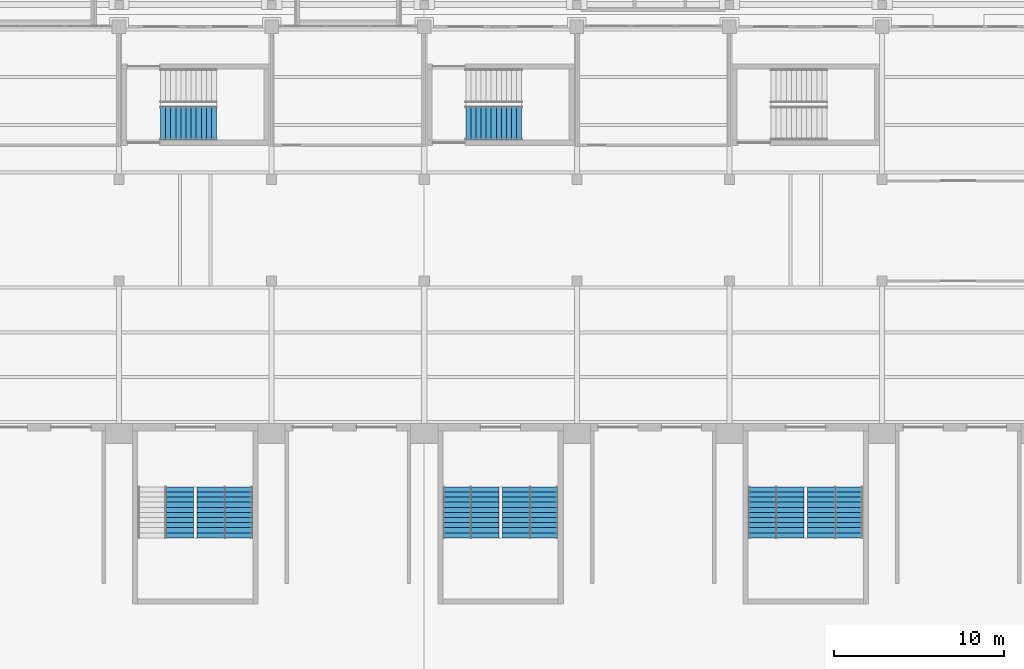
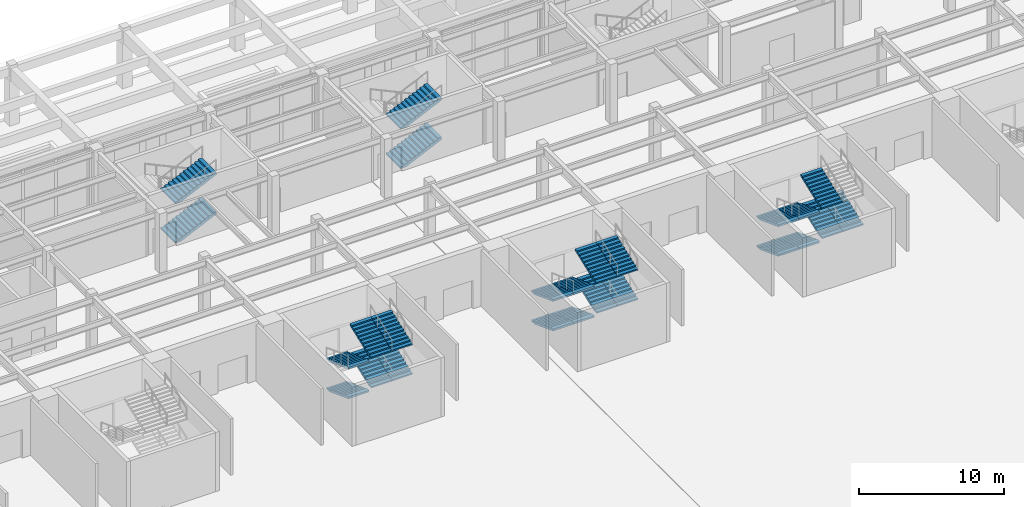
# One storey, part 57 of 77: 25 stair flights, 8 elements without a shape of their own.
"""IFC4 building model written with IfcOpenShell, lengths in metres."""

import ifcopenshell
import ifcopenshell.guid

model = None  # the IFC model being written
_history = None  # IfcOwnerHistory: only IFC2X3 demands one
_inside = {}  # id of a spatial element -> (the spatial element, [elements in it])
_under = {}  # id of a project, library or spatial element -> (it, [spatial elements below it])
_declared = {}  # id of a project -> (the project, [libraries it declares])
_typed = {}  # id of a type object -> (the type object, [elements of that type])
_made_of = {}  # id of a material, layer set ... -> (it, [elements and type objects made of it])


def new_model(schema):
    """Start an empty IFC model of exactly this schema.

    Asked for "IFC4X3", IfcOpenShell would pick the latest addendum, in which some entities
    have other attributes; the version numbers below select the first issue.
    IFC2X3 requires an IfcOwnerHistory on every rooted entity: one is made here for all.
    """
    global model, _history
    if schema == "IFC4X3":
        model = ifcopenshell.file(schema_version=(4, 3, 0, 0))
    else:
        model = ifcopenshell.file(schema=schema)
    _inside.clear()
    _under.clear()
    _declared.clear()
    _typed.clear()
    _made_of.clear()
    _history = None
    if model.schema == "IFC2X3":
        org = make("IfcOrganization", Name="unknown")
        user = make(
            "IfcPersonAndOrganization",
            ThePerson=make("IfcPerson", FamilyName="unknown"),
            TheOrganization=org,
        )
        app = make(
            "IfcApplication",
            ApplicationDeveloper=org,
            Version="unknown",
            ApplicationFullName="unknown",
            ApplicationIdentifier="unknown",
        )
        _history = make(
            "IfcOwnerHistory",
            OwningUser=user,
            OwningApplication=app,
            ChangeAction="ADDED",
            CreationDate=0,
        )
    return model


def make(cls, **values):
    """One entity of the class cls with the attributes given. An attribute that is None is left unset."""
    return model.create_entity(
        cls, **{name: value for name, value in values.items() if value is not None}
    )


def rooted(cls, **values):
    """An entity with a GlobalId (a new one), such as an element, a storey or a relation."""
    return make(cls, GlobalId=ifcopenshell.guid.new(), OwnerHistory=_history, **values)


def si_unit(unit_type, name, prefix=None):
    """IfcSIUnit, for example si_unit("LENGTHUNIT", "METRE", prefix="MILLI")."""
    return make("IfcSIUnit", UnitType=unit_type, Prefix=prefix, Name=name)


def assignment(units):
    """IfcUnitAssignment: the units of a project."""
    return None if units is None else make("IfcUnitAssignment", Units=units)


def point(xyz):
    """IfcCartesianPoint."""
    return None if xyz is None else make("IfcCartesianPoint", Coordinates=xyz)


def direction(xyz):
    """IfcDirection."""
    return None if xyz is None else make("IfcDirection", DirectionRatios=xyz)


def frame(location, z_axis=None, x_axis=None):
    """IfcAxis2Placement3D, a coordinate frame: its origin and axes. An axis left out is left unset."""
    return make(
        "IfcAxis2Placement3D",
        Location=point(location),
        Axis=direction(z_axis),
        RefDirection=direction(x_axis),
    )


def origin():
    """The frame at (0, 0, 0) with its axes left unset."""
    return frame((0.0, 0.0, 0.0))


def place(relative_to, where):
    """IfcLocalPlacement: puts the frame where relative to a parent placement (None: the world)."""
    return make(
        "IfcLocalPlacement", PlacementRelTo=relative_to, RelativePlacement=where
    )


def context(
    kind, dimensions, precision=None, world=None, true_north=None, identifier=None
):
    """IfcGeometricRepresentationContext, for example the 3D "Model" context."""
    return make(
        "IfcGeometricRepresentationContext",
        ContextIdentifier=identifier,
        ContextType=kind,
        CoordinateSpaceDimension=dimensions,
        Precision=precision,
        WorldCoordinateSystem=world,
        TrueNorth=true_north,
    )


def subcontext(parent, identifier, kind, view, scale=None):
    """IfcGeometricRepresentationSubContext, for example "Body" below "Model"."""
    return make(
        "IfcGeometricRepresentationSubContext",
        ContextIdentifier=identifier,
        ContextType=kind,
        ParentContext=parent,
        TargetScale=scale,
        TargetView=view,
    )


def project(units=None, contexts=None):
    """IfcProject with its units and contexts."""
    return rooted(
        "IfcProject",
        Name="project",
        RepresentationContexts=contexts,
        UnitsInContext=assignment(units),
    )


def spatial(cls, under=None, at=None, **own):
    """A site, building, storey or space (cls), placed at a placement, below another one or the project."""
    s = rooted(cls, ObjectPlacement=at, **own)
    if under is not None:
        _under.setdefault(under.id(), (under, []))[1].append(s)
    return s


def polyline(points):
    """IfcPolyline through the points."""
    return make("IfcPolyline", Points=[point(p) for p in points])


def outline(outer, holes=None, kind="AREA"):
    """IfcArbitraryClosedProfileDef: a profile drawn as a closed curve; with holes, ...WithVoids."""
    if holes is None:
        return make("IfcArbitraryClosedProfileDef", ProfileType=kind, OuterCurve=outer)
    return make(
        "IfcArbitraryProfileDefWithVoids",
        ProfileType=kind,
        OuterCurve=outer,
        InnerCurves=holes,
    )


def extrude(swept, where, along, depth):
    """IfcExtrudedAreaSolid: the profile swept, set in the frame where, extruded along a direction by depth."""
    return make(
        "IfcExtrudedAreaSolid",
        SweptArea=swept,
        Position=where,
        ExtrudedDirection=direction(along),
        Depth=depth,
    )


def shape(context_of_items, identifier, shape_type, items):
    """IfcShapeRepresentation: the items that make up one representation, for example the "Body"."""
    return make(
        "IfcShapeRepresentation",
        ContextOfItems=context_of_items,
        RepresentationIdentifier=identifier,
        RepresentationType=shape_type,
        Items=items,
    )


def material(Name=None, Category=None):
    """IfcMaterial."""
    return make("IfcMaterial", Name=Name, Category=Category)


def made_of(thing, what):
    """Note that an element or type object is made of a material, layer set ...; save() writes the relation."""
    if what is not None:
        _made_of.setdefault(what.id(), (what, []))[1].append(thing)
    return thing


def type_object(cls, material=None, **own):
    """A type object (cls), such as IfcWallType, which elements share."""
    return made_of(rooted(cls, **own), material)


def element(
    cls,
    number,
    at=None,
    inside=None,
    cuts=None,
    type_object=None,
    material=None,
    context=None,
    identifier="Body",
    shape_type=None,
    held_by="IfcProductDefinitionShape",
    body=None,
    shapes=None,
    **own,
):
    """One element of the class cls, such as IfcWall. Its Tag is "e" and its number.

    at: its placement. inside: the storey or other place that contains it. cuts: it is an
    opening in that element (IfcRelVoidsElement). A single representation is given by context,
    identifier, shape_type and body (its items); several are given by shapes. held_by: the class
    of the entity that holds the representations. save() writes the other relations.
    """
    e = rooted(cls, Tag="e%d" % number, ObjectPlacement=at, **own)
    if body is not None:
        shapes = [shape(context, identifier, shape_type, body)]
    if shapes is not None:
        e.Representation = make(held_by, Representations=shapes)
    if inside is not None:
        _inside.setdefault(inside.id(), (inside, []))[1].append(e)
    if cuts is not None:
        rooted(
            "IfcRelVoidsElement", RelatingBuildingElement=cuts, RelatedOpeningElement=e
        )
    if type_object is not None:
        _typed.setdefault(type_object.id(), (type_object, []))[1].append(e)
    return made_of(e, material)


def aggregate(whole, parts):
    """IfcRelAggregates: a whole, such as a stair, and the parts it consists of."""
    return rooted("IfcRelAggregates", RelatingObject=whole, RelatedObjects=parts)


def save(model, path):
    """Write the relations noted so far, then the file.

    IfcRelAggregates (storeys below a building ...), IfcRelContainedInSpatialStructure (elements
    in a storey), IfcRelDefinesByType, IfcRelAssociatesMaterial and IfcRelDeclares: one each for
    every whole, place, type object, material and project.
    """
    for whole, parts in _under.values():
        aggregate(whole, parts)
    for where, things in _inside.values():
        rooted(
            "IfcRelContainedInSpatialStructure",
            RelatedElements=things,
            RelatingStructure=where,
        )
    for kind, things in _typed.values():
        rooted("IfcRelDefinesByType", RelatedObjects=things, RelatingType=kind)
    for what, things in _made_of.values():
        rooted("IfcRelAssociatesMaterial", RelatedObjects=things, RelatingMaterial=what)
    for by, libraries in _declared.values():
        rooted("IfcRelDeclares", RelatingContext=by, RelatedDefinitions=libraries)
    model.write(path)


model = new_model("IFC4")

# Units and contexts
model_context = context("Model", 3, precision=1e-05, world=origin(), true_north=direction((0.0, 1.0)))
body_context = subcontext(model_context, "Body", "Model", "MODEL_VIEW")
ifc_project = project(units=[si_unit("LENGTHUNIT", "METRE"), si_unit("AREAUNIT", "SQUARE_METRE"), si_unit("VOLUMEUNIT", "CUBIC_METRE"), si_unit("PLANEANGLEUNIT", "RADIAN"), si_unit("MASSUNIT", "GRAM", prefix="KILO")], contexts=[model_context])

# Site, building, storey
site_placement = place(None, origin())
site = spatial("IfcSite", under=ifc_project, at=site_placement, CompositionType="ELEMENT")
building_placement = place(site_placement, origin())
building = spatial("IfcBuilding", under=site, at=building_placement, Name="Aravalli Gate Trade Fair Centre", CompositionType="ELEMENT")
storey_placement = place(building_placement, origin())
storey = spatial("IfcBuildingStorey", under=building, at=storey_placement, Name="L00", CompositionType="ELEMENT", Elevation=0.0)

# Stair, stair flights
ifc_material_1 = material(Name="Concrete M30", Category="concrete")
stair_type_1 = type_object("IfcStairType", Name="Concourse stair, 2000 wide", PredefinedType="HALF_TURN_STAIR", material=ifc_material_1)
stair_1_placement = place(storey_placement, origin())
stair_1 = element("IfcStair", 1, at=stair_1_placement, inside=storey, type_object=stair_type_1, Name="Stair XA L00", PredefinedType="HALF_TURN_STAIR")
stair_flight_type_1 = type_object("IfcStairFlightType", Name="Concourse stair flight 2000", PredefinedType="STRAIGHT", material=ifc_material_1)
stair_flight_1_placement = place(storey_placement, frame((35.449951171875, 127.300048828125, 0.0), z_axis=(0.0, 0.0, 1.0), x_axis=(1.0, 0.0, 0.0)))
stair_flight_1 = element("IfcStairFlight", 2, at=stair_flight_1_placement, type_object=stair_flight_type_1, Name="STXA-L00 flight 1", NumberOfRisers=12, NumberOfTreads=11, PredefinedType="STRAIGHT", RiserHeight=0.138888889, TreadLength=0.3, context=body_context, shape_type="SweptSolid", body=[
    extrude(outline(polyline([(0.0, 0.0), (0.0, 0.138916015625), (0.300048828125, 0.138916015625), (0.300048828125, 0.27783203125), (0.60009765625, 0.27783203125), (0.60009765625, 0.416748046875), (0.89990234375, 0.416748046875), (0.89990234375, 0.5556640625), (1.199951171875, 0.5556640625), (1.199951171875, 0.6943359375), (1.5, 0.6943359375), (1.5, 0.833251953125), (1.800048828125, 0.833251953125), (1.800048828125, 0.97216796875), (2.10009765625, 0.97216796875), (2.10009765625, 1.111083984375), (2.39990234375, 1.111083984375), (2.39990234375, 1.25), (2.699951171875, 1.25), (2.699951171875, 1.388916015625), (3.0, 1.388916015625), (3.0, 1.52783203125), (3.300048828125, 1.52783203125), (3.300048828125, 1.666748046875), (3.300048828125, 1.307373046875), (0.475830078125, 0.0), (0.0, 0.0)])), frame((0.0, 1.0, 0.0), z_axis=(0.0, -1.0, 0.0), x_axis=(1.0, 0.0, 0.0)), (0.0, 0.0, 1.0), 2.0),
])
stair_flight_2_placement = place(storey_placement, frame((35.449951171875, 127.300048828125, 3.333251953125), z_axis=(0.0, 0.0, 1.0), x_axis=(1.0, 0.0, 0.0)))
stair_flight_2 = element("IfcStairFlight", 3, at=stair_flight_2_placement, type_object=stair_flight_type_1, Name="STXA-L00 flight 3", NumberOfRisers=12, NumberOfTreads=11, PredefinedType="STRAIGHT", RiserHeight=0.138888889, TreadLength=0.3, context=body_context, shape_type="SweptSolid", body=[
    extrude(outline(polyline([(0.0, 0.0), (0.0, 0.138916015625), (0.300048828125, 0.138916015625), (0.300048828125, 0.27783203125), (0.60009765625, 0.27783203125), (0.60009765625, 0.416748046875), (0.89990234375, 0.416748046875), (0.89990234375, 0.5556640625), (1.199951171875, 0.5556640625), (1.199951171875, 0.6943359375), (1.5, 0.6943359375), (1.5, 0.833251953125), (1.800048828125, 0.833251953125), (1.800048828125, 0.97216796875), (2.10009765625, 0.97216796875), (2.10009765625, 1.111083984375), (2.39990234375, 1.111083984375), (2.39990234375, 1.25), (2.699951171875, 1.25), (2.699951171875, 1.388916015625), (3.0, 1.388916015625), (3.0, 1.52783203125), (3.300048828125, 1.52783203125), (3.300048828125, 1.666748046875), (3.300048828125, 1.307373046875), (0.475830078125, 0.0), (0.0, 0.0)])), frame((0.0, 1.0, 0.0), z_axis=(0.0, -1.0, 0.0), x_axis=(1.0, 0.0, 0.0)), (0.0, 0.0, 1.0), 2.0),
])
aggregate(stair_1, [stair_flight_1, stair_flight_2])

stair_2_placement = place(storey_placement, origin())
stair_2 = element("IfcStair", 4, at=stair_2_placement, inside=storey, type_object=stair_type_1, Name="Stair XB L00", PredefinedType="HALF_TURN_STAIR")
stair_flight_3_placement = place(storey_placement, frame((53.449951171875, 127.300048828125, 0.0), z_axis=(0.0, 0.0, 1.0), x_axis=(1.0, 0.0, 0.0)))
stair_flight_3 = element("IfcStairFlight", 5, at=stair_flight_3_placement, type_object=stair_flight_type_1, Name="STXB-L00 flight 1", NumberOfRisers=12, NumberOfTreads=11, PredefinedType="STRAIGHT", RiserHeight=0.138888889, TreadLength=0.3, context=body_context, shape_type="SweptSolid", body=[
    extrude(outline(polyline([(0.0, 0.0), (0.0, 0.138916015625), (0.300048828125, 0.138916015625), (0.300048828125, 0.27783203125), (0.60009765625, 0.27783203125), (0.60009765625, 0.416748046875), (0.89990234375, 0.416748046875), (0.89990234375, 0.5556640625), (1.199951171875, 0.5556640625), (1.199951171875, 0.6943359375), (1.5, 0.6943359375), (1.5, 0.833251953125), (1.800048828125, 0.833251953125), (1.800048828125, 0.97216796875), (2.10009765625, 0.97216796875), (2.10009765625, 1.111083984375), (2.39990234375, 1.111083984375), (2.39990234375, 1.25), (2.699951171875, 1.25), (2.699951171875, 1.388916015625), (3.0, 1.388916015625), (3.0, 1.52783203125), (3.300048828125, 1.52783203125), (3.300048828125, 1.666748046875), (3.300048828125, 1.307373046875), (0.475830078125, 0.0), (0.0, 0.0)])), frame((0.0, 1.0, 0.0), z_axis=(0.0, -1.0, 0.0), x_axis=(1.0, 0.0, 0.0)), (0.0, 0.0, 1.0), 2.0),
])
stair_flight_4_placement = place(storey_placement, frame((53.449951171875, 127.300048828125, 3.333251953125), z_axis=(0.0, 0.0, 1.0), x_axis=(1.0, 0.0, 0.0)))
stair_flight_4 = element("IfcStairFlight", 6, at=stair_flight_4_placement, type_object=stair_flight_type_1, Name="STXB-L00 flight 3", NumberOfRisers=12, NumberOfTreads=11, PredefinedType="STRAIGHT", RiserHeight=0.138888889, TreadLength=0.3, context=body_context, shape_type="SweptSolid", body=[
    extrude(outline(polyline([(0.0, 0.0), (0.0, 0.138916015625), (0.300048828125, 0.138916015625), (0.300048828125, 0.27783203125), (0.60009765625, 0.27783203125), (0.60009765625, 0.416748046875), (0.89990234375, 0.416748046875), (0.89990234375, 0.5556640625), (1.199951171875, 0.5556640625), (1.199951171875, 0.6943359375), (1.5, 0.6943359375), (1.5, 0.833251953125), (1.800048828125, 0.833251953125), (1.800048828125, 0.97216796875), (2.10009765625, 0.97216796875), (2.10009765625, 1.111083984375), (2.39990234375, 1.111083984375), (2.39990234375, 1.25), (2.699951171875, 1.25), (2.699951171875, 1.388916015625), (3.0, 1.388916015625), (3.0, 1.52783203125), (3.300048828125, 1.52783203125), (3.300048828125, 1.666748046875), (3.300048828125, 1.307373046875), (0.475830078125, 0.0), (0.0, 0.0)])), frame((0.0, 1.0, 0.0), z_axis=(0.0, -1.0, 0.0), x_axis=(1.0, 0.0, 0.0)), (0.0, 0.0, 1.0), 2.0),
])
aggregate(stair_2, [stair_flight_3, stair_flight_4])

ifc_material_2 = material(Name="Concrete M40", Category="concrete")
stair_type_2 = type_object("IfcStairType", Name="Hall exit stair, four flights", PredefinedType="HALF_TURN_STAIR", material=ifc_material_2)
stair_3_placement = place(storey_placement, origin())
stair_3 = element("IfcStair", 7, at=stair_3_placement, inside=storey, type_object=stair_type_2, Name="Exit stair ST-N04 lane A L00", PredefinedType="HALF_TURN_STAIR")
stair_flight_type_2 = type_object("IfcStairFlightType", Name="Hall exit stair flight, four flights", PredefinedType="STRAIGHT", material=ifc_material_2)
stair_flight_5_placement = place(storey_placement, frame((38.419921875, 102.85009765625, 1.25), z_axis=(0.0, 0.0, 1.0), x_axis=(0.0, 1.0, 0.0)))
stair_flight_5 = element("IfcStairFlight", 8, at=stair_flight_5_placement, type_object=stair_flight_type_2, Name="ST-N04A flight 2", NumberOfRisers=11, NumberOfTreads=10, PredefinedType="STRAIGHT", RiserHeight=0.113636364, TreadLength=0.3, context=body_context, shape_type="SweptSolid", body=[
    extrude(outline(polyline([(0.0, 0.0), (0.0, 0.113525390625), (0.300048828125, 0.113525390625), (0.300048828125, 0.227294921875), (0.60009765625, 0.227294921875), (0.60009765625, 0.3408203125), (0.89990234375, 0.3408203125), (0.89990234375, 0.45458984375), (1.199951171875, 0.45458984375), (1.199951171875, 0.568115234375), (1.5, 0.568115234375), (1.5, 0.681884765625), (1.800048828125, 0.681884765625), (1.800048828125, 0.79541015625), (2.10009765625, 0.79541015625), (2.10009765625, 0.9091796875), (2.39990234375, 0.9091796875), (2.39990234375, 1.022705078125), (2.699951171875, 1.022705078125), (2.699951171875, 1.136474609375), (3.0, 1.136474609375), (3.0, 1.25), (3.0, 0.97607421875), (0.423095703125, 0.0), (0.0, 0.0)])), frame((0.0, 0.81982421875, 0.0), z_axis=(0.0, -1.0, 0.0), x_axis=(1.0, 0.0, 0.0)), (0.0, 0.0, 1.0), 1.639892578125),
])
stair_flight_6_placement = place(storey_placement, frame((38.419921875, 102.85009765625, 3.75), z_axis=(0.0, 0.0, 1.0), x_axis=(0.0, 1.0, 0.0)))
stair_flight_6 = element("IfcStairFlight", 9, at=stair_flight_6_placement, type_object=stair_flight_type_2, Name="ST-N04A flight 4", NumberOfRisers=11, NumberOfTreads=10, PredefinedType="STRAIGHT", RiserHeight=0.113636364, TreadLength=0.3, context=body_context, shape_type="SweptSolid", body=[
    extrude(outline(polyline([(0.0, 0.0), (0.0, 0.113525390625), (0.300048828125, 0.113525390625), (0.300048828125, 0.227294921875), (0.60009765625, 0.227294921875), (0.60009765625, 0.3408203125), (0.89990234375, 0.3408203125), (0.89990234375, 0.45458984375), (1.199951171875, 0.45458984375), (1.199951171875, 0.568115234375), (1.5, 0.568115234375), (1.5, 0.681884765625), (1.800048828125, 0.681884765625), (1.800048828125, 0.79541015625), (2.10009765625, 0.79541015625), (2.10009765625, 0.9091796875), (2.39990234375, 0.9091796875), (2.39990234375, 1.022705078125), (2.699951171875, 1.022705078125), (2.699951171875, 1.136474609375), (3.0, 1.136474609375), (3.0, 1.25), (3.0, 0.97607421875), (0.423095703125, 0.0), (0.0, 0.0)])), frame((0.0, 0.81982421875, 0.0), z_axis=(0.0, -1.0, 0.0), x_axis=(1.0, 0.0, 0.0)), (0.0, 0.0, 1.0), 1.639892578125),
])
aggregate(stair_3, [stair_flight_5, stair_flight_6])

stair_4_placement = place(storey_placement, origin())
stair_4 = element("IfcStair", 10, at=stair_4_placement, inside=storey, type_object=stair_type_2, Name="Exit stair ST-N04 lane B L00", PredefinedType="HALF_TURN_STAIR")
stair_flight_7_placement = place(storey_placement, frame((36.580078125, 105.85009765625, 0.0), z_axis=(0.0, 0.0, 1.0), x_axis=(0.0, -1.0, 0.0)))
stair_flight_7 = element("IfcStairFlight", 11, at=stair_flight_7_placement, type_object=stair_flight_type_2, Name="ST-N04B flight 1", NumberOfRisers=11, NumberOfTreads=10, PredefinedType="STRAIGHT", RiserHeight=0.113636364, TreadLength=0.3, context=body_context, shape_type="SweptSolid", body=[
    extrude(outline(polyline([(0.0, 0.0), (0.0, 0.113525390625), (0.300048828125, 0.113525390625), (0.300048828125, 0.227294921875), (0.60009765625, 0.227294921875), (0.60009765625, 0.3408203125), (0.89990234375, 0.3408203125), (0.89990234375, 0.45458984375), (1.199951171875, 0.45458984375), (1.199951171875, 0.568115234375), (1.5, 0.568115234375), (1.5, 0.681884765625), (1.800048828125, 0.681884765625), (1.800048828125, 0.79541015625), (2.10009765625, 0.79541015625), (2.10009765625, 0.9091796875), (2.39990234375, 0.9091796875), (2.39990234375, 1.022705078125), (2.699951171875, 1.022705078125), (2.699951171875, 1.136474609375), (3.0, 1.136474609375), (3.0, 1.25), (3.0, 0.97607421875), (0.423095703125, 0.0), (0.0, 0.0)])), frame((0.0, 0.81982421875, 0.0), z_axis=(0.0, -1.0, 0.0), x_axis=(1.0, 0.0, 0.0)), (0.0, 0.0, 1.0), 1.639892578125),
])
stair_flight_8_placement = place(storey_placement, frame((40.080078125, 102.85009765625, 1.25), z_axis=(0.0, 0.0, 1.0), x_axis=(0.0, 1.0, 0.0)))
stair_flight_8 = element("IfcStairFlight", 12, at=stair_flight_8_placement, type_object=stair_flight_type_2, Name="ST-N04B flight 2", NumberOfRisers=11, NumberOfTreads=10, PredefinedType="STRAIGHT", RiserHeight=0.113636364, TreadLength=0.3, context=body_context, shape_type="SweptSolid", body=[
    extrude(outline(polyline([(0.0, 0.0), (0.0, 0.113525390625), (0.300048828125, 0.113525390625), (0.300048828125, 0.227294921875), (0.60009765625, 0.227294921875), (0.60009765625, 0.3408203125), (0.89990234375, 0.3408203125), (0.89990234375, 0.45458984375), (1.199951171875, 0.45458984375), (1.199951171875, 0.568115234375), (1.5, 0.568115234375), (1.5, 0.681884765625), (1.800048828125, 0.681884765625), (1.800048828125, 0.79541015625), (2.10009765625, 0.79541015625), (2.10009765625, 0.9091796875), (2.39990234375, 0.9091796875), (2.39990234375, 1.022705078125), (2.699951171875, 1.022705078125), (2.699951171875, 1.136474609375), (3.0, 1.136474609375), (3.0, 1.25), (3.0, 0.97607421875), (0.423095703125, 0.0), (0.0, 0.0)])), frame((0.0, 0.81982421875, 0.0), z_axis=(0.0, -1.0, 0.0), x_axis=(1.0, 0.0, 0.0)), (0.0, 0.0, 1.0), 1.639892578125),
])
stair_flight_9_placement = place(storey_placement, frame((36.580078125, 105.85009765625, 2.5), z_axis=(0.0, 0.0, 1.0), x_axis=(0.0, -1.0, 0.0)))
stair_flight_9 = element("IfcStairFlight", 13, at=stair_flight_9_placement, type_object=stair_flight_type_2, Name="ST-N04B flight 3", NumberOfRisers=11, NumberOfTreads=10, PredefinedType="STRAIGHT", RiserHeight=0.113636364, TreadLength=0.3, context=body_context, shape_type="SweptSolid", body=[
    extrude(outline(polyline([(0.0, 0.0), (0.0, 0.113525390625), (0.300048828125, 0.113525390625), (0.300048828125, 0.227294921875), (0.60009765625, 0.227294921875), (0.60009765625, 0.3408203125), (0.89990234375, 0.3408203125), (0.89990234375, 0.45458984375), (1.199951171875, 0.45458984375), (1.199951171875, 0.568115234375), (1.5, 0.568115234375), (1.5, 0.681884765625), (1.800048828125, 0.681884765625), (1.800048828125, 0.79541015625), (2.10009765625, 0.79541015625), (2.10009765625, 0.9091796875), (2.39990234375, 0.9091796875), (2.39990234375, 1.022705078125), (2.699951171875, 1.022705078125), (2.699951171875, 1.136474609375), (3.0, 1.136474609375), (3.0, 1.25), (3.0, 0.97607421875), (0.423095703125, 0.0), (0.0, 0.0)])), frame((0.0, 0.81982421875, 0.0), z_axis=(0.0, -1.0, 0.0), x_axis=(1.0, 0.0, 0.0)), (0.0, 0.0, 1.0), 1.639892578125),
])
stair_flight_10_placement = place(storey_placement, frame((40.080078125, 102.85009765625, 3.75), z_axis=(0.0, 0.0, 1.0), x_axis=(0.0, 1.0, 0.0)))
stair_flight_10 = element("IfcStairFlight", 14, at=stair_flight_10_placement, type_object=stair_flight_type_2, Name="ST-N04B flight 4", NumberOfRisers=11, NumberOfTreads=10, PredefinedType="STRAIGHT", RiserHeight=0.113636364, TreadLength=0.3, context=body_context, shape_type="SweptSolid", body=[
    extrude(outline(polyline([(0.0, 0.0), (0.0, 0.113525390625), (0.300048828125, 0.113525390625), (0.300048828125, 0.227294921875), (0.60009765625, 0.227294921875), (0.60009765625, 0.3408203125), (0.89990234375, 0.3408203125), (0.89990234375, 0.45458984375), (1.199951171875, 0.45458984375), (1.199951171875, 0.568115234375), (1.5, 0.568115234375), (1.5, 0.681884765625), (1.800048828125, 0.681884765625), (1.800048828125, 0.79541015625), (2.10009765625, 0.79541015625), (2.10009765625, 0.9091796875), (2.39990234375, 0.9091796875), (2.39990234375, 1.022705078125), (2.699951171875, 1.022705078125), (2.699951171875, 1.136474609375), (3.0, 1.136474609375), (3.0, 1.25), (3.0, 0.97607421875), (0.423095703125, 0.0), (0.0, 0.0)])), frame((0.0, 0.81982421875, 0.0), z_axis=(0.0, -1.0, 0.0), x_axis=(1.0, 0.0, 0.0)), (0.0, 0.0, 1.0), 1.639892578125),
])
aggregate(stair_4, [stair_flight_7, stair_flight_8, stair_flight_9, stair_flight_10])

stair_5_placement = place(storey_placement, origin())
stair_5 = element("IfcStair", 15, at=stair_5_placement, inside=storey, type_object=stair_type_2, Name="Exit stair ST-N06 lane A L00", PredefinedType="HALF_TURN_STAIR")
stair_flight_11_placement = place(storey_placement, frame((52.919921875, 105.85009765625, 0.0), z_axis=(0.0, 0.0, 1.0), x_axis=(0.0, -1.0, 0.0)))
stair_flight_11 = element("IfcStairFlight", 16, at=stair_flight_11_placement, type_object=stair_flight_type_2, Name="ST-N06A flight 1", NumberOfRisers=11, NumberOfTreads=10, PredefinedType="STRAIGHT", RiserHeight=0.113636364, TreadLength=0.3, context=body_context, shape_type="SweptSolid", body=[
    extrude(outline(polyline([(0.0, 0.0), (0.0, 0.113525390625), (0.300048828125, 0.113525390625), (0.300048828125, 0.227294921875), (0.60009765625, 0.227294921875), (0.60009765625, 0.3408203125), (0.89990234375, 0.3408203125), (0.89990234375, 0.45458984375), (1.199951171875, 0.45458984375), (1.199951171875, 0.568115234375), (1.5, 0.568115234375), (1.5, 0.681884765625), (1.800048828125, 0.681884765625), (1.800048828125, 0.79541015625), (2.10009765625, 0.79541015625), (2.10009765625, 0.9091796875), (2.39990234375, 0.9091796875), (2.39990234375, 1.022705078125), (2.699951171875, 1.022705078125), (2.699951171875, 1.136474609375), (3.0, 1.136474609375), (3.0, 1.25), (3.0, 0.97607421875), (0.423095703125, 0.0), (0.0, 0.0)])), frame((0.0, 0.81982421875, 0.0), z_axis=(0.0, -1.0, 0.0), x_axis=(1.0, 0.0, 0.0)), (0.0, 0.0, 1.0), 1.639892578125),
])
stair_flight_12_placement = place(storey_placement, frame((56.419921875, 102.85009765625, 1.25), z_axis=(0.0, 0.0, 1.0), x_axis=(0.0, 1.0, 0.0)))
stair_flight_12 = element("IfcStairFlight", 17, at=stair_flight_12_placement, type_object=stair_flight_type_2, Name="ST-N06A flight 2", NumberOfRisers=11, NumberOfTreads=10, PredefinedType="STRAIGHT", RiserHeight=0.113636364, TreadLength=0.3, context=body_context, shape_type="SweptSolid", body=[
    extrude(outline(polyline([(0.0, 0.0), (0.0, 0.113525390625), (0.300048828125, 0.113525390625), (0.300048828125, 0.227294921875), (0.60009765625, 0.227294921875), (0.60009765625, 0.3408203125), (0.89990234375, 0.3408203125), (0.89990234375, 0.45458984375), (1.199951171875, 0.45458984375), (1.199951171875, 0.568115234375), (1.5, 0.568115234375), (1.5, 0.681884765625), (1.800048828125, 0.681884765625), (1.800048828125, 0.79541015625), (2.10009765625, 0.79541015625), (2.10009765625, 0.9091796875), (2.39990234375, 0.9091796875), (2.39990234375, 1.022705078125), (2.699951171875, 1.022705078125), (2.699951171875, 1.136474609375), (3.0, 1.136474609375), (3.0, 1.25), (3.0, 0.97607421875), (0.423095703125, 0.0), (0.0, 0.0)])), frame((0.0, 0.81982421875, 0.0), z_axis=(0.0, -1.0, 0.0), x_axis=(1.0, 0.0, 0.0)), (0.0, 0.0, 1.0), 1.639892578125),
])
stair_flight_13_placement = place(storey_placement, frame((52.919921875, 105.85009765625, 2.5), z_axis=(0.0, 0.0, 1.0), x_axis=(0.0, -1.0, 0.0)))
stair_flight_13 = element("IfcStairFlight", 18, at=stair_flight_13_placement, type_object=stair_flight_type_2, Name="ST-N06A flight 3", NumberOfRisers=11, NumberOfTreads=10, PredefinedType="STRAIGHT", RiserHeight=0.113636364, TreadLength=0.3, context=body_context, shape_type="SweptSolid", body=[
    extrude(outline(polyline([(0.0, 0.0), (0.0, 0.113525390625), (0.300048828125, 0.113525390625), (0.300048828125, 0.227294921875), (0.60009765625, 0.227294921875), (0.60009765625, 0.3408203125), (0.89990234375, 0.3408203125), (0.89990234375, 0.45458984375), (1.199951171875, 0.45458984375), (1.199951171875, 0.568115234375), (1.5, 0.568115234375), (1.5, 0.681884765625), (1.800048828125, 0.681884765625), (1.800048828125, 0.79541015625), (2.10009765625, 0.79541015625), (2.10009765625, 0.9091796875), (2.39990234375, 0.9091796875), (2.39990234375, 1.022705078125), (2.699951171875, 1.022705078125), (2.699951171875, 1.136474609375), (3.0, 1.136474609375), (3.0, 1.25), (3.0, 0.97607421875), (0.423095703125, 0.0), (0.0, 0.0)])), frame((0.0, 0.81982421875, 0.0), z_axis=(0.0, -1.0, 0.0), x_axis=(1.0, 0.0, 0.0)), (0.0, 0.0, 1.0), 1.639892578125),
])
stair_flight_14_placement = place(storey_placement, frame((56.419921875, 102.85009765625, 3.75), z_axis=(0.0, 0.0, 1.0), x_axis=(0.0, 1.0, 0.0)))
stair_flight_14 = element("IfcStairFlight", 19, at=stair_flight_14_placement, type_object=stair_flight_type_2, Name="ST-N06A flight 4", NumberOfRisers=11, NumberOfTreads=10, PredefinedType="STRAIGHT", RiserHeight=0.113636364, TreadLength=0.3, context=body_context, shape_type="SweptSolid", body=[
    extrude(outline(polyline([(0.0, 0.0), (0.0, 0.113525390625), (0.300048828125, 0.113525390625), (0.300048828125, 0.227294921875), (0.60009765625, 0.227294921875), (0.60009765625, 0.3408203125), (0.89990234375, 0.3408203125), (0.89990234375, 0.45458984375), (1.199951171875, 0.45458984375), (1.199951171875, 0.568115234375), (1.5, 0.568115234375), (1.5, 0.681884765625), (1.800048828125, 0.681884765625), (1.800048828125, 0.79541015625), (2.10009765625, 0.79541015625), (2.10009765625, 0.9091796875), (2.39990234375, 0.9091796875), (2.39990234375, 1.022705078125), (2.699951171875, 1.022705078125), (2.699951171875, 1.136474609375), (3.0, 1.136474609375), (3.0, 1.25), (3.0, 0.97607421875), (0.423095703125, 0.0), (0.0, 0.0)])), frame((0.0, 0.81982421875, 0.0), z_axis=(0.0, -1.0, 0.0), x_axis=(1.0, 0.0, 0.0)), (0.0, 0.0, 1.0), 1.639892578125),
])
aggregate(stair_5, [stair_flight_11, stair_flight_12, stair_flight_13, stair_flight_14])

stair_6_placement = place(storey_placement, origin())
stair_6 = element("IfcStair", 20, at=stair_6_placement, inside=storey, type_object=stair_type_2, Name="Exit stair ST-N06 lane B L00", PredefinedType="HALF_TURN_STAIR")
stair_flight_15_placement = place(storey_placement, frame((54.580078125, 105.85009765625, 0.0), z_axis=(0.0, 0.0, 1.0), x_axis=(0.0, -1.0, 0.0)))
stair_flight_15 = element("IfcStairFlight", 21, at=stair_flight_15_placement, type_object=stair_flight_type_2, Name="ST-N06B flight 1", NumberOfRisers=11, NumberOfTreads=10, PredefinedType="STRAIGHT", RiserHeight=0.113636364, TreadLength=0.3, context=body_context, shape_type="SweptSolid", body=[
    extrude(outline(polyline([(0.0, 0.0), (0.0, 0.113525390625), (0.300048828125, 0.113525390625), (0.300048828125, 0.227294921875), (0.60009765625, 0.227294921875), (0.60009765625, 0.3408203125), (0.89990234375, 0.3408203125), (0.89990234375, 0.45458984375), (1.199951171875, 0.45458984375), (1.199951171875, 0.568115234375), (1.5, 0.568115234375), (1.5, 0.681884765625), (1.800048828125, 0.681884765625), (1.800048828125, 0.79541015625), (2.10009765625, 0.79541015625), (2.10009765625, 0.9091796875), (2.39990234375, 0.9091796875), (2.39990234375, 1.022705078125), (2.699951171875, 1.022705078125), (2.699951171875, 1.136474609375), (3.0, 1.136474609375), (3.0, 1.25), (3.0, 0.97607421875), (0.423095703125, 0.0), (0.0, 0.0)])), frame((0.0, 0.81982421875, 0.0), z_axis=(0.0, -1.0, 0.0), x_axis=(1.0, 0.0, 0.0)), (0.0, 0.0, 1.0), 1.639892578125),
])
stair_flight_16_placement = place(storey_placement, frame((58.080078125, 102.85009765625, 1.25), z_axis=(0.0, 0.0, 1.0), x_axis=(0.0, 1.0, 0.0)))
stair_flight_16 = element("IfcStairFlight", 22, at=stair_flight_16_placement, type_object=stair_flight_type_2, Name="ST-N06B flight 2", NumberOfRisers=11, NumberOfTreads=10, PredefinedType="STRAIGHT", RiserHeight=0.113636364, TreadLength=0.3, context=body_context, shape_type="SweptSolid", body=[
    extrude(outline(polyline([(0.0, 0.0), (0.0, 0.113525390625), (0.300048828125, 0.113525390625), (0.300048828125, 0.227294921875), (0.60009765625, 0.227294921875), (0.60009765625, 0.3408203125), (0.89990234375, 0.3408203125), (0.89990234375, 0.45458984375), (1.199951171875, 0.45458984375), (1.199951171875, 0.568115234375), (1.5, 0.568115234375), (1.5, 0.681884765625), (1.800048828125, 0.681884765625), (1.800048828125, 0.79541015625), (2.10009765625, 0.79541015625), (2.10009765625, 0.9091796875), (2.39990234375, 0.9091796875), (2.39990234375, 1.022705078125), (2.699951171875, 1.022705078125), (2.699951171875, 1.136474609375), (3.0, 1.136474609375), (3.0, 1.25), (3.0, 0.97607421875), (0.423095703125, 0.0), (0.0, 0.0)])), frame((0.0, 0.81982421875, 0.0), z_axis=(0.0, -1.0, 0.0), x_axis=(1.0, 0.0, 0.0)), (0.0, 0.0, 1.0), 1.639892578125),
])
stair_flight_17_placement = place(storey_placement, frame((54.580078125, 105.85009765625, 2.5), z_axis=(0.0, 0.0, 1.0), x_axis=(0.0, -1.0, 0.0)))
stair_flight_17 = element("IfcStairFlight", 23, at=stair_flight_17_placement, type_object=stair_flight_type_2, Name="ST-N06B flight 3", NumberOfRisers=11, NumberOfTreads=10, PredefinedType="STRAIGHT", RiserHeight=0.113636364, TreadLength=0.3, context=body_context, shape_type="SweptSolid", body=[
    extrude(outline(polyline([(0.0, 0.0), (0.0, 0.113525390625), (0.300048828125, 0.113525390625), (0.300048828125, 0.227294921875), (0.60009765625, 0.227294921875), (0.60009765625, 0.3408203125), (0.89990234375, 0.3408203125), (0.89990234375, 0.45458984375), (1.199951171875, 0.45458984375), (1.199951171875, 0.568115234375), (1.5, 0.568115234375), (1.5, 0.681884765625), (1.800048828125, 0.681884765625), (1.800048828125, 0.79541015625), (2.10009765625, 0.79541015625), (2.10009765625, 0.9091796875), (2.39990234375, 0.9091796875), (2.39990234375, 1.022705078125), (2.699951171875, 1.022705078125), (2.699951171875, 1.136474609375), (3.0, 1.136474609375), (3.0, 1.25), (3.0, 0.97607421875), (0.423095703125, 0.0), (0.0, 0.0)])), frame((0.0, 0.81982421875, 0.0), z_axis=(0.0, -1.0, 0.0), x_axis=(1.0, 0.0, 0.0)), (0.0, 0.0, 1.0), 1.639892578125),
])
stair_flight_18_placement = place(storey_placement, frame((58.080078125, 102.85009765625, 3.75), z_axis=(0.0, 0.0, 1.0), x_axis=(0.0, 1.0, 0.0)))
stair_flight_18 = element("IfcStairFlight", 24, at=stair_flight_18_placement, type_object=stair_flight_type_2, Name="ST-N06B flight 4", NumberOfRisers=11, NumberOfTreads=10, PredefinedType="STRAIGHT", RiserHeight=0.113636364, TreadLength=0.3, context=body_context, shape_type="SweptSolid", body=[
    extrude(outline(polyline([(0.0, 0.0), (0.0, 0.113525390625), (0.300048828125, 0.113525390625), (0.300048828125, 0.227294921875), (0.60009765625, 0.227294921875), (0.60009765625, 0.3408203125), (0.89990234375, 0.3408203125), (0.89990234375, 0.45458984375), (1.199951171875, 0.45458984375), (1.199951171875, 0.568115234375), (1.5, 0.568115234375), (1.5, 0.681884765625), (1.800048828125, 0.681884765625), (1.800048828125, 0.79541015625), (2.10009765625, 0.79541015625), (2.10009765625, 0.9091796875), (2.39990234375, 0.9091796875), (2.39990234375, 1.022705078125), (2.699951171875, 1.022705078125), (2.699951171875, 1.136474609375), (3.0, 1.136474609375), (3.0, 1.25), (3.0, 0.97607421875), (0.423095703125, 0.0), (0.0, 0.0)])), frame((0.0, 0.81982421875, 0.0), z_axis=(0.0, -1.0, 0.0), x_axis=(1.0, 0.0, 0.0)), (0.0, 0.0, 1.0), 1.639892578125),
])
aggregate(stair_6, [stair_flight_15, stair_flight_16, stair_flight_17, stair_flight_18])

stair_7_placement = place(storey_placement, origin())
stair_7 = element("IfcStair", 25, at=stair_7_placement, inside=storey, type_object=stair_type_2, Name="Exit stair ST-N08 lane A L00", PredefinedType="HALF_TURN_STAIR")
stair_flight_19_placement = place(storey_placement, frame((70.919921875, 105.85009765625, 0.0), z_axis=(0.0, 0.0, 1.0), x_axis=(0.0, -1.0, 0.0)))
stair_flight_19 = element("IfcStairFlight", 26, at=stair_flight_19_placement, type_object=stair_flight_type_2, Name="ST-N08A flight 1", NumberOfRisers=11, NumberOfTreads=10, PredefinedType="STRAIGHT", RiserHeight=0.113636364, TreadLength=0.3, context=body_context, shape_type="SweptSolid", body=[
    extrude(outline(polyline([(0.0, 0.0), (0.0, 0.113525390625), (0.300048828125, 0.113525390625), (0.300048828125, 0.227294921875), (0.60009765625, 0.227294921875), (0.60009765625, 0.3408203125), (0.89990234375, 0.3408203125), (0.89990234375, 0.45458984375), (1.199951171875, 0.45458984375), (1.199951171875, 0.568115234375), (1.5, 0.568115234375), (1.5, 0.681884765625), (1.800048828125, 0.681884765625), (1.800048828125, 0.79541015625), (2.10009765625, 0.79541015625), (2.10009765625, 0.9091796875), (2.39990234375, 0.9091796875), (2.39990234375, 1.022705078125), (2.699951171875, 1.022705078125), (2.699951171875, 1.136474609375), (3.0, 1.136474609375), (3.0, 1.25), (3.0, 0.97607421875), (0.423095703125, 0.0), (0.0, 0.0)])), frame((0.0, 0.81982421875, 0.0), z_axis=(0.0, -1.0, 0.0), x_axis=(1.0, 0.0, 0.0)), (0.0, 0.0, 1.0), 1.639892578125),
])
stair_flight_20_placement = place(storey_placement, frame((74.419921875, 102.85009765625, 1.25), z_axis=(0.0, 0.0, 1.0), x_axis=(0.0, 1.0, 0.0)))
stair_flight_20 = element("IfcStairFlight", 27, at=stair_flight_20_placement, type_object=stair_flight_type_2, Name="ST-N08A flight 2", NumberOfRisers=11, NumberOfTreads=10, PredefinedType="STRAIGHT", RiserHeight=0.113636364, TreadLength=0.3, context=body_context, shape_type="SweptSolid", body=[
    extrude(outline(polyline([(0.0, 0.0), (0.0, 0.113525390625), (0.300048828125, 0.113525390625), (0.300048828125, 0.227294921875), (0.60009765625, 0.227294921875), (0.60009765625, 0.3408203125), (0.89990234375, 0.3408203125), (0.89990234375, 0.45458984375), (1.199951171875, 0.45458984375), (1.199951171875, 0.568115234375), (1.5, 0.568115234375), (1.5, 0.681884765625), (1.800048828125, 0.681884765625), (1.800048828125, 0.79541015625), (2.10009765625, 0.79541015625), (2.10009765625, 0.9091796875), (2.39990234375, 0.9091796875), (2.39990234375, 1.022705078125), (2.699951171875, 1.022705078125), (2.699951171875, 1.136474609375), (3.0, 1.136474609375), (3.0, 1.25), (3.0, 0.97607421875), (0.423095703125, 0.0), (0.0, 0.0)])), frame((0.0, 0.81982421875, 0.0), z_axis=(0.0, -1.0, 0.0), x_axis=(1.0, 0.0, 0.0)), (0.0, 0.0, 1.0), 1.639892578125),
])
stair_flight_21_placement = place(storey_placement, frame((70.919921875, 105.85009765625, 2.5), z_axis=(0.0, 0.0, 1.0), x_axis=(0.0, -1.0, 0.0)))
stair_flight_21 = element("IfcStairFlight", 28, at=stair_flight_21_placement, type_object=stair_flight_type_2, Name="ST-N08A flight 3", NumberOfRisers=11, NumberOfTreads=10, PredefinedType="STRAIGHT", RiserHeight=0.113636364, TreadLength=0.3, context=body_context, shape_type="SweptSolid", body=[
    extrude(outline(polyline([(0.0, 0.0), (0.0, 0.113525390625), (0.300048828125, 0.113525390625), (0.300048828125, 0.227294921875), (0.60009765625, 0.227294921875), (0.60009765625, 0.3408203125), (0.89990234375, 0.3408203125), (0.89990234375, 0.45458984375), (1.199951171875, 0.45458984375), (1.199951171875, 0.568115234375), (1.5, 0.568115234375), (1.5, 0.681884765625), (1.800048828125, 0.681884765625), (1.800048828125, 0.79541015625), (2.10009765625, 0.79541015625), (2.10009765625, 0.9091796875), (2.39990234375, 0.9091796875), (2.39990234375, 1.022705078125), (2.699951171875, 1.022705078125), (2.699951171875, 1.136474609375), (3.0, 1.136474609375), (3.0, 1.25), (3.0, 0.97607421875), (0.423095703125, 0.0), (0.0, 0.0)])), frame((0.0, 0.81982421875, 0.0), z_axis=(0.0, -1.0, 0.0), x_axis=(1.0, 0.0, 0.0)), (0.0, 0.0, 1.0), 1.639892578125),
])
stair_flight_22_placement = place(storey_placement, frame((74.419921875, 102.85009765625, 3.75), z_axis=(0.0, 0.0, 1.0), x_axis=(0.0, 1.0, 0.0)))
stair_flight_22 = element("IfcStairFlight", 29, at=stair_flight_22_placement, type_object=stair_flight_type_2, Name="ST-N08A flight 4", NumberOfRisers=11, NumberOfTreads=10, PredefinedType="STRAIGHT", RiserHeight=0.113636364, TreadLength=0.3, context=body_context, shape_type="SweptSolid", body=[
    extrude(outline(polyline([(0.0, 0.0), (0.0, 0.113525390625), (0.300048828125, 0.113525390625), (0.300048828125, 0.227294921875), (0.60009765625, 0.227294921875), (0.60009765625, 0.3408203125), (0.89990234375, 0.3408203125), (0.89990234375, 0.45458984375), (1.199951171875, 0.45458984375), (1.199951171875, 0.568115234375), (1.5, 0.568115234375), (1.5, 0.681884765625), (1.800048828125, 0.681884765625), (1.800048828125, 0.79541015625), (2.10009765625, 0.79541015625), (2.10009765625, 0.9091796875), (2.39990234375, 0.9091796875), (2.39990234375, 1.022705078125), (2.699951171875, 1.022705078125), (2.699951171875, 1.136474609375), (3.0, 1.136474609375), (3.0, 1.25), (3.0, 0.97607421875), (0.423095703125, 0.0), (0.0, 0.0)])), frame((0.0, 0.81982421875, 0.0), z_axis=(0.0, -1.0, 0.0), x_axis=(1.0, 0.0, 0.0)), (0.0, 0.0, 1.0), 1.639892578125),
])
aggregate(stair_7, [stair_flight_19, stair_flight_20, stair_flight_21, stair_flight_22])

stair_8_placement = place(storey_placement, origin())
stair_8 = element("IfcStair", 30, at=stair_8_placement, inside=storey, type_object=stair_type_2, Name="Exit stair ST-N08 lane B L00", PredefinedType="HALF_TURN_STAIR")
stair_flight_23_placement = place(storey_placement, frame((72.580078125, 105.85009765625, 0.0), z_axis=(0.0, 0.0, 1.0), x_axis=(0.0, -1.0, 0.0)))
stair_flight_23 = element("IfcStairFlight", 31, at=stair_flight_23_placement, type_object=stair_flight_type_2, Name="ST-N08B flight 1", NumberOfRisers=11, NumberOfTreads=10, PredefinedType="STRAIGHT", RiserHeight=0.113636364, TreadLength=0.3, context=body_context, shape_type="SweptSolid", body=[
    extrude(outline(polyline([(0.0, 0.0), (0.0, 0.113525390625), (0.300048828125, 0.113525390625), (0.300048828125, 0.227294921875), (0.60009765625, 0.227294921875), (0.60009765625, 0.3408203125), (0.89990234375, 0.3408203125), (0.89990234375, 0.45458984375), (1.199951171875, 0.45458984375), (1.199951171875, 0.568115234375), (1.5, 0.568115234375), (1.5, 0.681884765625), (1.800048828125, 0.681884765625), (1.800048828125, 0.79541015625), (2.10009765625, 0.79541015625), (2.10009765625, 0.9091796875), (2.39990234375, 0.9091796875), (2.39990234375, 1.022705078125), (2.699951171875, 1.022705078125), (2.699951171875, 1.136474609375), (3.0, 1.136474609375), (3.0, 1.25), (3.0, 0.97607421875), (0.423095703125, 0.0), (0.0, 0.0)])), frame((0.0, 0.81982421875, 0.0), z_axis=(0.0, -1.0, 0.0), x_axis=(1.0, 0.0, 0.0)), (0.0, 0.0, 1.0), 1.639892578125),
])
stair_flight_24_placement = place(storey_placement, frame((76.080078125, 102.85009765625, 1.25), z_axis=(0.0, 0.0, 1.0), x_axis=(0.0, 1.0, 0.0)))
stair_flight_24 = element("IfcStairFlight", 32, at=stair_flight_24_placement, type_object=stair_flight_type_2, Name="ST-N08B flight 2", NumberOfRisers=11, NumberOfTreads=10, PredefinedType="STRAIGHT", RiserHeight=0.113636364, TreadLength=0.3, context=body_context, shape_type="SweptSolid", body=[
    extrude(outline(polyline([(0.0, 0.0), (0.0, 0.113525390625), (0.300048828125, 0.113525390625), (0.300048828125, 0.227294921875), (0.60009765625, 0.227294921875), (0.60009765625, 0.3408203125), (0.89990234375, 0.3408203125), (0.89990234375, 0.45458984375), (1.199951171875, 0.45458984375), (1.199951171875, 0.568115234375), (1.5, 0.568115234375), (1.5, 0.681884765625), (1.800048828125, 0.681884765625), (1.800048828125, 0.79541015625), (2.10009765625, 0.79541015625), (2.10009765625, 0.9091796875), (2.39990234375, 0.9091796875), (2.39990234375, 1.022705078125), (2.699951171875, 1.022705078125), (2.699951171875, 1.136474609375), (3.0, 1.136474609375), (3.0, 1.25), (3.0, 0.97607421875), (0.423095703125, 0.0), (0.0, 0.0)])), frame((0.0, 0.81982421875, 0.0), z_axis=(0.0, -1.0, 0.0), x_axis=(1.0, 0.0, 0.0)), (0.0, 0.0, 1.0), 1.639892578125),
])
stair_flight_25_placement = place(storey_placement, frame((72.580078125, 105.85009765625, 2.5), z_axis=(0.0, 0.0, 1.0), x_axis=(0.0, -1.0, 0.0)))
stair_flight_25 = element("IfcStairFlight", 33, at=stair_flight_25_placement, type_object=stair_flight_type_2, Name="ST-N08B flight 3", NumberOfRisers=11, NumberOfTreads=10, PredefinedType="STRAIGHT", RiserHeight=0.113636364, TreadLength=0.3, context=body_context, shape_type="SweptSolid", body=[
    extrude(outline(polyline([(0.0, 0.0), (0.0, 0.113525390625), (0.300048828125, 0.113525390625), (0.300048828125, 0.227294921875), (0.60009765625, 0.227294921875), (0.60009765625, 0.3408203125), (0.89990234375, 0.3408203125), (0.89990234375, 0.45458984375), (1.199951171875, 0.45458984375), (1.199951171875, 0.568115234375), (1.5, 0.568115234375), (1.5, 0.681884765625), (1.800048828125, 0.681884765625), (1.800048828125, 0.79541015625), (2.10009765625, 0.79541015625), (2.10009765625, 0.9091796875), (2.39990234375, 0.9091796875), (2.39990234375, 1.022705078125), (2.699951171875, 1.022705078125), (2.699951171875, 1.136474609375), (3.0, 1.136474609375), (3.0, 1.25), (3.0, 0.97607421875), (0.423095703125, 0.0), (0.0, 0.0)])), frame((0.0, 0.81982421875, 0.0), z_axis=(0.0, -1.0, 0.0), x_axis=(1.0, 0.0, 0.0)), (0.0, 0.0, 1.0), 1.639892578125),
])
aggregate(stair_8, [stair_flight_23, stair_flight_24, stair_flight_25])

save(model, "model.ifc")
